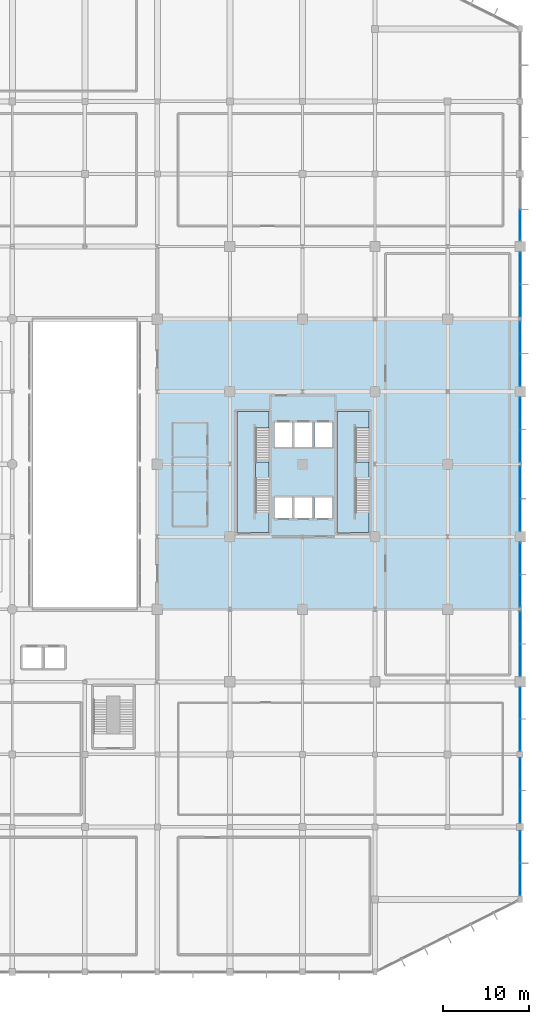
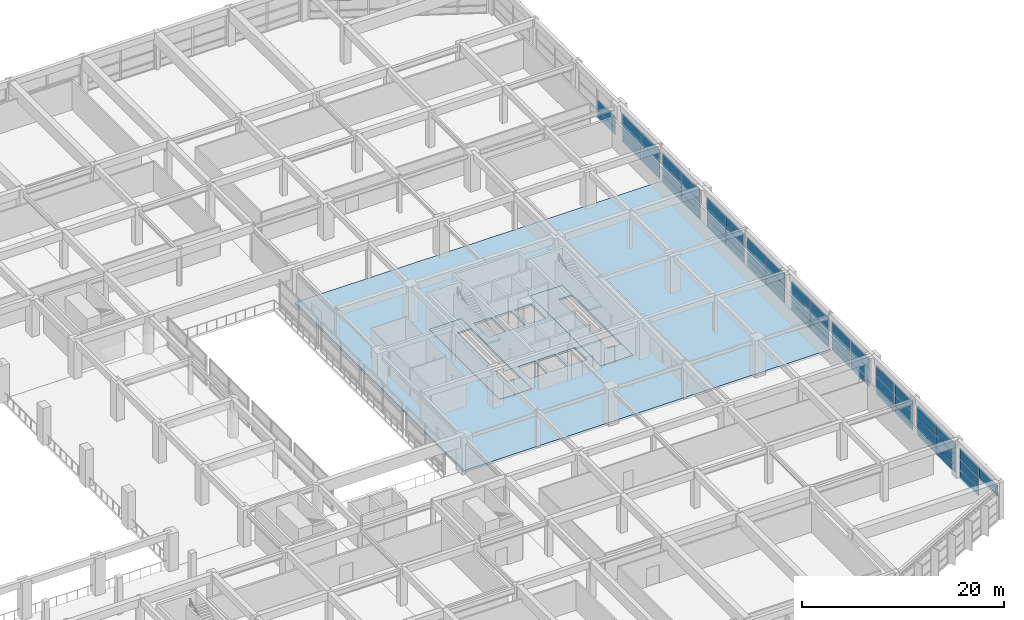
# One storey, part 48 of 65: 54 plates, 5 slabs, 12 elements without a shape of their own.
"""IFC4 building model written with IfcOpenShell, lengths in metres."""

import ifcopenshell
import ifcopenshell.guid

model = None  # the IFC model being written
_history = None  # IfcOwnerHistory: only IFC2X3 demands one
_inside = {}  # id of a spatial element -> (the spatial element, [elements in it])
_under = {}  # id of a project, library or spatial element -> (it, [spatial elements below it])
_declared = {}  # id of a project -> (the project, [libraries it declares])
_typed = {}  # id of a type object -> (the type object, [elements of that type])
_made_of = {}  # id of a material, layer set ... -> (it, [elements and type objects made of it])


def new_model(schema):
    """Start an empty IFC model of exactly this schema.

    Asked for "IFC4X3", IfcOpenShell would pick the latest addendum, in which some entities
    have other attributes; the version numbers below select the first issue.
    IFC2X3 requires an IfcOwnerHistory on every rooted entity: one is made here for all.
    """
    global model, _history
    if schema == "IFC4X3":
        model = ifcopenshell.file(schema_version=(4, 3, 0, 0))
    else:
        model = ifcopenshell.file(schema=schema)
    _inside.clear()
    _under.clear()
    _declared.clear()
    _typed.clear()
    _made_of.clear()
    _history = None
    if model.schema == "IFC2X3":
        org = make("IfcOrganization", Name="unknown")
        user = make(
            "IfcPersonAndOrganization",
            ThePerson=make("IfcPerson", FamilyName="unknown"),
            TheOrganization=org,
        )
        app = make(
            "IfcApplication",
            ApplicationDeveloper=org,
            Version="unknown",
            ApplicationFullName="unknown",
            ApplicationIdentifier="unknown",
        )
        _history = make(
            "IfcOwnerHistory",
            OwningUser=user,
            OwningApplication=app,
            ChangeAction="ADDED",
            CreationDate=0,
        )
    return model


def make(cls, **values):
    """One entity of the class cls with the attributes given. An attribute that is None is left unset."""
    return model.create_entity(
        cls, **{name: value for name, value in values.items() if value is not None}
    )


def rooted(cls, **values):
    """An entity with a GlobalId (a new one), such as an element, a storey or a relation."""
    return make(cls, GlobalId=ifcopenshell.guid.new(), OwnerHistory=_history, **values)


def si_unit(unit_type, name, prefix=None):
    """IfcSIUnit, for example si_unit("LENGTHUNIT", "METRE", prefix="MILLI")."""
    return make("IfcSIUnit", UnitType=unit_type, Prefix=prefix, Name=name)


def assignment(units):
    """IfcUnitAssignment: the units of a project."""
    return None if units is None else make("IfcUnitAssignment", Units=units)


def point(xyz):
    """IfcCartesianPoint."""
    return None if xyz is None else make("IfcCartesianPoint", Coordinates=xyz)


def direction(xyz):
    """IfcDirection."""
    return None if xyz is None else make("IfcDirection", DirectionRatios=xyz)


def frame(location, z_axis=None, x_axis=None):
    """IfcAxis2Placement3D, a coordinate frame: its origin and axes. An axis left out is left unset."""
    return make(
        "IfcAxis2Placement3D",
        Location=point(location),
        Axis=direction(z_axis),
        RefDirection=direction(x_axis),
    )


def frame_2d(location, x_axis=None):
    """IfcAxis2Placement2D, a coordinate frame in the plane: its origin and x axis."""
    return make(
        "IfcAxis2Placement2D", Location=point(location), RefDirection=direction(x_axis)
    )


def origin():
    """The frame at (0, 0, 0) with its axes left unset."""
    return frame((0.0, 0.0, 0.0))


def origin_2d():
    """The frame at (0, 0) in the plane with its x axis left unset."""
    return frame_2d((0.0, 0.0))


def place(relative_to, where):
    """IfcLocalPlacement: puts the frame where relative to a parent placement (None: the world)."""
    return make(
        "IfcLocalPlacement", PlacementRelTo=relative_to, RelativePlacement=where
    )


def context(
    kind, dimensions, precision=None, world=None, true_north=None, identifier=None
):
    """IfcGeometricRepresentationContext, for example the 3D "Model" context."""
    return make(
        "IfcGeometricRepresentationContext",
        ContextIdentifier=identifier,
        ContextType=kind,
        CoordinateSpaceDimension=dimensions,
        Precision=precision,
        WorldCoordinateSystem=world,
        TrueNorth=true_north,
    )


def subcontext(parent, identifier, kind, view, scale=None):
    """IfcGeometricRepresentationSubContext, for example "Body" below "Model"."""
    return make(
        "IfcGeometricRepresentationSubContext",
        ContextIdentifier=identifier,
        ContextType=kind,
        ParentContext=parent,
        TargetScale=scale,
        TargetView=view,
    )


def project(units=None, contexts=None):
    """IfcProject with its units and contexts."""
    return rooted(
        "IfcProject",
        Name="project",
        RepresentationContexts=contexts,
        UnitsInContext=assignment(units),
    )


def spatial(cls, under=None, at=None, **own):
    """A site, building, storey or space (cls), placed at a placement, below another one or the project."""
    s = rooted(cls, ObjectPlacement=at, **own)
    if under is not None:
        _under.setdefault(under.id(), (under, []))[1].append(s)
    return s


def polyline(points):
    """IfcPolyline through the points."""
    return make("IfcPolyline", Points=[point(p) for p in points])


def profile(cls, at=None, kind="AREA", **sizes):
    """A parametric profile (cls). Its sizes go by their IFC names, for example OverallWidth=200.0."""
    return make(cls, ProfileType=kind, Position=at, **sizes)


def rectangle(**sizes):
    """IfcRectangleProfileDef."""
    return profile("IfcRectangleProfileDef", **sizes)


def outline(outer, holes=None, kind="AREA"):
    """IfcArbitraryClosedProfileDef: a profile drawn as a closed curve; with holes, ...WithVoids."""
    if holes is None:
        return make("IfcArbitraryClosedProfileDef", ProfileType=kind, OuterCurve=outer)
    return make(
        "IfcArbitraryProfileDefWithVoids",
        ProfileType=kind,
        OuterCurve=outer,
        InnerCurves=holes,
    )


def extrude(swept, where, along, depth):
    """IfcExtrudedAreaSolid: the profile swept, set in the frame where, extruded along a direction by depth."""
    return make(
        "IfcExtrudedAreaSolid",
        SweptArea=swept,
        Position=where,
        ExtrudedDirection=direction(along),
        Depth=depth,
    )


def shape(context_of_items, identifier, shape_type, items):
    """IfcShapeRepresentation: the items that make up one representation, for example the "Body"."""
    return make(
        "IfcShapeRepresentation",
        ContextOfItems=context_of_items,
        RepresentationIdentifier=identifier,
        RepresentationType=shape_type,
        Items=items,
    )


def material(Name=None, Category=None):
    """IfcMaterial."""
    return make("IfcMaterial", Name=Name, Category=Category)


def layer(
    of_material, thickness, ventilated=None, Name=None, Category=None, Priority=None
):
    """IfcMaterialLayer: one layer of a wall or slab, of a material (None: an air gap)."""
    return make(
        "IfcMaterialLayer",
        Material=of_material,
        LayerThickness=thickness,
        IsVentilated=ventilated,
        Name=Name,
        Category=Category,
        Priority=Priority,
    )


def layer_set(layers, Name=None):
    """IfcMaterialLayerSet."""
    return make("IfcMaterialLayerSet", MaterialLayers=layers, LayerSetName=Name)


def made_of(thing, what):
    """Note that an element or type object is made of a material, layer set ...; save() writes the relation."""
    if what is not None:
        _made_of.setdefault(what.id(), (what, []))[1].append(thing)
    return thing


def type_object(cls, material=None, **own):
    """A type object (cls), such as IfcWallType, which elements share."""
    return made_of(rooted(cls, **own), material)


def element(
    cls,
    number,
    at=None,
    inside=None,
    cuts=None,
    type_object=None,
    material=None,
    context=None,
    identifier="Body",
    shape_type=None,
    held_by="IfcProductDefinitionShape",
    body=None,
    shapes=None,
    **own,
):
    """One element of the class cls, such as IfcWall. Its Tag is "e" and its number.

    at: its placement. inside: the storey or other place that contains it. cuts: it is an
    opening in that element (IfcRelVoidsElement). A single representation is given by context,
    identifier, shape_type and body (its items); several are given by shapes. held_by: the class
    of the entity that holds the representations. save() writes the other relations.
    """
    e = rooted(cls, Tag="e%d" % number, ObjectPlacement=at, **own)
    if body is not None:
        shapes = [shape(context, identifier, shape_type, body)]
    if shapes is not None:
        e.Representation = make(held_by, Representations=shapes)
    if inside is not None:
        _inside.setdefault(inside.id(), (inside, []))[1].append(e)
    if cuts is not None:
        rooted(
            "IfcRelVoidsElement", RelatingBuildingElement=cuts, RelatedOpeningElement=e
        )
    if type_object is not None:
        _typed.setdefault(type_object.id(), (type_object, []))[1].append(e)
    return made_of(e, material)


def aggregate(whole, parts):
    """IfcRelAggregates: a whole, such as a stair, and the parts it consists of."""
    return rooted("IfcRelAggregates", RelatingObject=whole, RelatedObjects=parts)


def save(model, path):
    """Write the relations noted so far, then the file.

    IfcRelAggregates (storeys below a building ...), IfcRelContainedInSpatialStructure (elements
    in a storey), IfcRelDefinesByType, IfcRelAssociatesMaterial and IfcRelDeclares: one each for
    every whole, place, type object, material and project.
    """
    for whole, parts in _under.values():
        aggregate(whole, parts)
    for where, things in _inside.values():
        rooted(
            "IfcRelContainedInSpatialStructure",
            RelatedElements=things,
            RelatingStructure=where,
        )
    for kind, things in _typed.values():
        rooted("IfcRelDefinesByType", RelatedObjects=things, RelatingType=kind)
    for what, things in _made_of.values():
        rooted("IfcRelAssociatesMaterial", RelatedObjects=things, RelatingMaterial=what)
    for by, libraries in _declared.values():
        rooted("IfcRelDeclares", RelatingContext=by, RelatedDefinitions=libraries)
    model.write(path)


model = new_model("IFC4")

# Units and contexts
model_context = context("Model", 3, precision=1e-05, world=origin(), true_north=direction((0.0, 1.0)))
body_context = subcontext(model_context, "Body", "Model", "MODEL_VIEW")
ifc_project = project(units=[si_unit("LENGTHUNIT", "METRE"), si_unit("AREAUNIT", "SQUARE_METRE"), si_unit("VOLUMEUNIT", "CUBIC_METRE"), si_unit("PLANEANGLEUNIT", "RADIAN"), si_unit("MASSUNIT", "GRAM", prefix="KILO")], contexts=[model_context])

# Site, building, storey
site_placement = place(None, origin())
site = spatial("IfcSite", under=ifc_project, at=site_placement, CompositionType="ELEMENT")
building_placement = place(site_placement, origin())
building = spatial("IfcBuilding", under=site, at=building_placement, Name="Xuanlan Plaza Opera House", CompositionType="ELEMENT")
storey_placement = place(building_placement, frame((0.0, 0.0, 5.39990234375)))
storey = spatial("IfcBuildingStorey", under=building, at=storey_placement, Name="L01", CompositionType="ELEMENT", Elevation=5.39990234375)

# Curtain wall, plates
ifc_material_1 = material(Name="Anodised Aluminium 6063-T6 and Low-E Glass", Category="aluminium")
curtain_wall_type_1 = type_object("IfcCurtainWallType", Name="ENV-CW-CW-04", PredefinedType="USERDEFINED", material=ifc_material_1)
curtain_wall_1_placement = place(storey_placement, origin())
curtain_wall_1 = element("IfcCurtainWall", 1, at=curtain_wall_1_placement, inside=storey, type_object=curtain_wall_type_1, Name="Unitised Curtain Wall L01-021", ObjectType="UNITISED CURTAIN WALL", PredefinedType="USERDEFINED")
ifc_material_2 = material(Name="Laminated Acoustic Double Glazing", Category="glass")
ifc_layer_1 = layer(ifc_material_2, 0.028076171875)
ifc_layer_set_1 = layer_set([ifc_layer_1], Name="Laminated Acoustic Double Glazing")
plate_type_1 = type_object("IfcPlateType", Name="ENV-CWP-01", PredefinedType="CURTAIN_PANEL", material=ifc_layer_set_1)
plate_1_placement = place(storey_placement, frame((168.0, 36.128173828125, 0.090087890625), z_axis=(0.0, 0.0, 1.0), x_axis=(0.0, 1.0, 0.0)))
plate_1 = element("IfcPlate", 2, at=plate_1_placement, type_object=plate_type_1, Name="CW-04 panel 1.1", PredefinedType="CURTAIN_PANEL", context=body_context, shape_type="SweptSolid", body=[
    extrude(rectangle(XDim=3.656494140625, YDim=0.028076171875, at=origin_2d()), origin(), (0.0, 0.0, 1.0), 0.81494140625),
])
plate_2_placement = place(storey_placement, frame((168.0, 36.128173828125, 0.9951171875), z_axis=(0.0, 0.0, 1.0), x_axis=(0.0, 1.0, 0.0)))
plate_2 = element("IfcPlate", 3, at=plate_2_placement, type_object=plate_type_1, Name="CW-04 panel 1.2", PredefinedType="CURTAIN_PANEL", context=body_context, shape_type="SweptSolid", body=[
    extrude(rectangle(XDim=3.656494140625, YDim=0.028076171875, at=origin_2d()), origin(), (0.0, 0.0, 1.0), 1.2099609375),
])
plate_3_placement = place(storey_placement, frame((168.0, 36.128173828125, 2.295166015625), z_axis=(0.0, 0.0, 1.0), x_axis=(0.0, 1.0, 0.0)))
plate_3 = element("IfcPlate", 4, at=plate_3_placement, type_object=plate_type_1, Name="CW-04 panel 1.3", PredefinedType="CURTAIN_PANEL", context=body_context, shape_type="SweptSolid", body=[
    extrude(rectangle(XDim=3.656494140625, YDim=0.028076171875, at=origin_2d()), origin(), (0.0, 0.0, 1.0), 1.294921875),
])
plate_4_placement = place(storey_placement, frame((168.0, 39.86474609375, 0.090087890625), z_axis=(0.0, 0.0, 1.0), x_axis=(0.0, 1.0, 0.0)))
plate_4 = element("IfcPlate", 5, at=plate_4_placement, type_object=plate_type_1, Name="CW-04 panel 2.1", PredefinedType="CURTAIN_PANEL", context=body_context, shape_type="SweptSolid", body=[
    extrude(rectangle(XDim=3.656494140625, YDim=0.028076171875, at=origin_2d()), origin(), (0.0, 0.0, 1.0), 0.81494140625),
])
plate_5_placement = place(storey_placement, frame((168.0, 39.86474609375, 0.9951171875), z_axis=(0.0, 0.0, 1.0), x_axis=(0.0, 1.0, 0.0)))
plate_5 = element("IfcPlate", 6, at=plate_5_placement, type_object=plate_type_1, Name="CW-04 panel 2.2", PredefinedType="CURTAIN_PANEL", context=body_context, shape_type="SweptSolid", body=[
    extrude(rectangle(XDim=3.656494140625, YDim=0.028076171875, at=origin_2d()), origin(), (0.0, 0.0, 1.0), 1.2099609375),
])
plate_6_placement = place(storey_placement, frame((168.0, 39.86474609375, 2.295166015625), z_axis=(0.0, 0.0, 1.0), x_axis=(0.0, 1.0, 0.0)))
plate_6 = element("IfcPlate", 7, at=plate_6_placement, type_object=plate_type_1, Name="CW-04 panel 2.3", PredefinedType="CURTAIN_PANEL", context=body_context, shape_type="SweptSolid", body=[
    extrude(rectangle(XDim=3.656494140625, YDim=0.028076171875, at=origin_2d()), origin(), (0.0, 0.0, 1.0), 1.294921875),
])
aggregate(curtain_wall_1, [plate_1, plate_2, plate_3, plate_4, plate_5, plate_6])

curtain_wall_type_2 = type_object("IfcCurtainWallType", Name="ENV-CW-CW-01", PredefinedType="USERDEFINED", material=ifc_material_1)
curtain_wall_2_placement = place(storey_placement, origin())
curtain_wall_2 = element("IfcCurtainWall", 8, at=curtain_wall_2_placement, inside=storey, type_object=curtain_wall_type_2, Name="Unitised Curtain Wall L01-026", ObjectType="UNITISED CURTAIN WALL", PredefinedType="USERDEFINED")
plate_7_placement = place(storey_placement, frame((168.0, 77.7353515625, 0.090087890625), z_axis=(0.0, 0.0, 1.0), x_axis=(0.0, 1.0, 0.0)))
plate_7 = element("IfcPlate", 9, at=plate_7_placement, type_object=plate_type_1, Name="CW-01 panel 1.1", PredefinedType="CURTAIN_PANEL", context=body_context, shape_type="SweptSolid", body=[
    extrude(rectangle(XDim=3.656494140625, YDim=0.028076171875, at=origin_2d()), origin(), (0.0, 0.0, 1.0), 0.81494140625),
])
plate_8_placement = place(storey_placement, frame((168.0, 77.7353515625, 0.9951171875), z_axis=(0.0, 0.0, 1.0), x_axis=(0.0, 1.0, 0.0)))
plate_8 = element("IfcPlate", 10, at=plate_8_placement, type_object=plate_type_1, Name="CW-01 panel 1.2", PredefinedType="CURTAIN_PANEL", context=body_context, shape_type="SweptSolid", body=[
    extrude(rectangle(XDim=3.656494140625, YDim=0.028076171875, at=origin_2d()), origin(), (0.0, 0.0, 1.0), 1.2099609375),
])
plate_9_placement = place(storey_placement, frame((168.0, 77.7353515625, 2.295166015625), z_axis=(0.0, 0.0, 1.0), x_axis=(0.0, 1.0, 0.0)))
plate_9 = element("IfcPlate", 11, at=plate_9_placement, type_object=plate_type_1, Name="CW-01 panel 1.3", PredefinedType="CURTAIN_PANEL", context=body_context, shape_type="SweptSolid", body=[
    extrude(rectangle(XDim=3.656494140625, YDim=0.028076171875, at=origin_2d()), origin(), (0.0, 0.0, 1.0), 1.294921875),
])
plate_10_placement = place(storey_placement, frame((168.0, 81.4716796875, 0.090087890625), z_axis=(0.0, 0.0, 1.0), x_axis=(0.0, 1.0, 0.0)))
plate_10 = element("IfcPlate", 12, at=plate_10_placement, type_object=plate_type_1, Name="CW-01 panel 2.1", PredefinedType="CURTAIN_PANEL", context=body_context, shape_type="SweptSolid", body=[
    extrude(rectangle(XDim=3.656494140625, YDim=0.028076171875, at=origin_2d()), origin(), (0.0, 0.0, 1.0), 0.81494140625),
])
plate_11_placement = place(storey_placement, frame((168.0, 81.4716796875, 0.9951171875), z_axis=(0.0, 0.0, 1.0), x_axis=(0.0, 1.0, 0.0)))
plate_11 = element("IfcPlate", 13, at=plate_11_placement, type_object=plate_type_1, Name="CW-01 panel 2.2", PredefinedType="CURTAIN_PANEL", context=body_context, shape_type="SweptSolid", body=[
    extrude(rectangle(XDim=3.656494140625, YDim=0.028076171875, at=origin_2d()), origin(), (0.0, 0.0, 1.0), 1.2099609375),
])
plate_12_placement = place(storey_placement, frame((168.0, 81.4716796875, 2.295166015625), z_axis=(0.0, 0.0, 1.0), x_axis=(0.0, 1.0, 0.0)))
plate_12 = element("IfcPlate", 14, at=plate_12_placement, type_object=plate_type_1, Name="CW-01 panel 2.3", PredefinedType="CURTAIN_PANEL", context=body_context, shape_type="SweptSolid", body=[
    extrude(rectangle(XDim=3.656494140625, YDim=0.028076171875, at=origin_2d()), origin(), (0.0, 0.0, 1.0), 1.294921875),
])
aggregate(curtain_wall_2, [plate_7, plate_8, plate_9, plate_10, plate_11, plate_12])

curtain_wall_3_placement = place(storey_placement, origin())
curtain_wall_3 = element("IfcCurtainWall", 15, at=curtain_wall_3_placement, inside=storey, type_object=curtain_wall_type_2, Name="Unitised Curtain Wall L01-018", ObjectType="UNITISED CURTAIN WALL", PredefinedType="USERDEFINED")
ifc_layer_2 = layer(ifc_material_2, 0.031982421875)
ifc_layer_set_2 = layer_set([ifc_layer_2], Name="Laminated Acoustic Double Glazing")
plate_type_2 = type_object("IfcPlateType", Name="ENV-CWP-02", PredefinedType="CURTAIN_PANEL", material=ifc_layer_set_2)
plate_13_placement = place(storey_placement, frame((168.0, 10.70751953125, 2.2900390625), z_axis=(0.0, 0.0, 1.0), x_axis=(0.0, 1.0, 0.0)))
plate_13 = element("IfcPlate", 16, at=plate_13_placement, type_object=plate_type_2, Name="CW-01 panel 1.3", PredefinedType="CURTAIN_PANEL", context=body_context, shape_type="SweptSolid", body=[
    extrude(rectangle(XDim=3.695068359375, YDim=0.031982421875, at=origin_2d()), origin(), (0.0, 0.0, 1.0), 1.31005859375),
])
plate_14_placement = place(storey_placement, frame((168.0, 14.467529296875, 0.080078125), z_axis=(0.0, 0.0, 1.0), x_axis=(0.0, 1.0, 0.0)))
plate_14 = element("IfcPlate", 17, at=plate_14_placement, type_object=plate_type_2, Name="CW-01 panel 2.1", PredefinedType="CURTAIN_PANEL", context=body_context, shape_type="SweptSolid", body=[
    extrude(rectangle(XDim=3.695068359375, YDim=0.031982421875, at=origin_2d()), origin(), (0.0, 0.0, 1.0), 0.830078125),
])
plate_15_placement = place(storey_placement, frame((168.0, 14.467529296875, 0.990234375), z_axis=(0.0, 0.0, 1.0), x_axis=(0.0, 1.0, 0.0)))
plate_15 = element("IfcPlate", 18, at=plate_15_placement, type_object=plate_type_2, Name="CW-01 panel 2.2", PredefinedType="CURTAIN_PANEL", context=body_context, shape_type="SweptSolid", body=[
    extrude(rectangle(XDim=3.695068359375, YDim=0.031982421875, at=origin_2d()), origin(), (0.0, 0.0, 1.0), 1.219970703125),
])
plate_16_placement = place(storey_placement, frame((168.0, 14.467529296875, 2.2900390625), z_axis=(0.0, 0.0, 1.0), x_axis=(0.0, 1.0, 0.0)))
plate_16 = element("IfcPlate", 19, at=plate_16_placement, type_object=plate_type_2, Name="CW-01 panel 2.3", PredefinedType="CURTAIN_PANEL", context=body_context, shape_type="SweptSolid", body=[
    extrude(rectangle(XDim=3.695068359375, YDim=0.031982421875, at=origin_2d()), origin(), (0.0, 0.0, 1.0), 1.31005859375),
])
aggregate(curtain_wall_3, [plate_13, plate_14, plate_15, plate_16])

curtain_wall_type_3 = type_object("IfcCurtainWallType", Name="ENV-CW-CW-02", PredefinedType="USERDEFINED", material=ifc_material_1)
curtain_wall_4_placement = place(storey_placement, origin())
curtain_wall_4 = element("IfcCurtainWall", 20, at=curtain_wall_4_placement, inside=storey, type_object=curtain_wall_type_3, Name="Unitised Curtain Wall L01-023", ObjectType="UNITISED CURTAIN WALL", PredefinedType="USERDEFINED")
plate_17_placement = place(storey_placement, frame((168.0, 52.924560546875, 0.080078125), z_axis=(0.0, 0.0, 1.0), x_axis=(0.0, 1.0, 0.0)))
plate_17 = element("IfcPlate", 21, at=plate_17_placement, type_object=plate_type_2, Name="CW-02 panel 1.1", PredefinedType="CURTAIN_PANEL", context=body_context, shape_type="SweptSolid", body=[
    extrude(rectangle(XDim=3.678955078125, YDim=0.031982421875, at=origin_2d()), origin(), (0.0, 0.0, 1.0), 0.830078125),
])
plate_18_placement = place(storey_placement, frame((168.0, 52.924560546875, 0.990234375), z_axis=(0.0, 0.0, 1.0), x_axis=(0.0, 1.0, 0.0)))
plate_18 = element("IfcPlate", 22, at=plate_18_placement, type_object=plate_type_2, Name="CW-02 panel 1.2", PredefinedType="CURTAIN_PANEL", context=body_context, shape_type="SweptSolid", body=[
    extrude(rectangle(XDim=3.678955078125, YDim=0.031982421875, at=origin_2d()), origin(), (0.0, 0.0, 1.0), 1.219970703125),
])
plate_19_placement = place(storey_placement, frame((168.0, 52.924560546875, 2.2900390625), z_axis=(0.0, 0.0, 1.0), x_axis=(0.0, 1.0, 0.0)))
plate_19 = element("IfcPlate", 23, at=plate_19_placement, type_object=plate_type_2, Name="CW-02 panel 1.3", PredefinedType="CURTAIN_PANEL", context=body_context, shape_type="SweptSolid", body=[
    extrude(rectangle(XDim=3.678955078125, YDim=0.031982421875, at=origin_2d()), origin(), (0.0, 0.0, 1.0), 1.31005859375),
])
plate_20_placement = place(storey_placement, frame((168.0, 56.66845703125, 0.080078125), z_axis=(0.0, 0.0, 1.0), x_axis=(0.0, 1.0, 0.0)))
plate_20 = element("IfcPlate", 24, at=plate_20_placement, type_object=plate_type_2, Name="CW-02 panel 2.1", PredefinedType="CURTAIN_PANEL", context=body_context, shape_type="SweptSolid", body=[
    extrude(rectangle(XDim=3.678955078125, YDim=0.031982421875, at=origin_2d()), origin(), (0.0, 0.0, 1.0), 0.830078125),
])
plate_21_placement = place(storey_placement, frame((168.0, 56.66845703125, 0.990234375), z_axis=(0.0, 0.0, 1.0), x_axis=(0.0, 1.0, 0.0)))
plate_21 = element("IfcPlate", 25, at=plate_21_placement, type_object=plate_type_2, Name="CW-02 panel 2.2", PredefinedType="CURTAIN_PANEL", context=body_context, shape_type="SweptSolid", body=[
    extrude(rectangle(XDim=3.678955078125, YDim=0.031982421875, at=origin_2d()), origin(), (0.0, 0.0, 1.0), 1.219970703125),
])
plate_22_placement = place(storey_placement, frame((168.0, 56.66845703125, 2.2900390625), z_axis=(0.0, 0.0, 1.0), x_axis=(0.0, 1.0, 0.0)))
plate_22 = element("IfcPlate", 26, at=plate_22_placement, type_object=plate_type_2, Name="CW-02 panel 2.3", PredefinedType="CURTAIN_PANEL", context=body_context, shape_type="SweptSolid", body=[
    extrude(rectangle(XDim=3.678955078125, YDim=0.031982421875, at=origin_2d()), origin(), (0.0, 0.0, 1.0), 1.31005859375),
])
aggregate(curtain_wall_4, [plate_17, plate_18, plate_19, plate_20, plate_21, plate_22])

curtain_wall_type_4 = type_object("IfcCurtainWallType", Name="ENV-CW-CW-03", PredefinedType="USERDEFINED", material=ifc_material_1)
curtain_wall_5_placement = place(storey_placement, origin())
curtain_wall_5 = element("IfcCurtainWall", 27, at=curtain_wall_5_placement, inside=storey, type_object=curtain_wall_type_4, Name="Unitised Curtain Wall L01-020", ObjectType="UNITISED CURTAIN WALL", PredefinedType="USERDEFINED")
ifc_layer_3 = layer(ifc_material_2, 0.035888671875)
ifc_layer_set_3 = layer_set([ifc_layer_3], Name="Laminated Acoustic Double Glazing")
plate_type_3 = type_object("IfcPlateType", Name="ENV-CWP-03", PredefinedType="CURTAIN_PANEL", material=ifc_layer_set_3)
plate_23_placement = place(storey_placement, frame((168.0, 27.441162109375, 0.0751953125), z_axis=(0.0, 0.0, 1.0), x_axis=(0.0, 1.0, 0.0)))
plate_23 = element("IfcPlate", 28, at=plate_23_placement, type_object=plate_type_3, Name="CW-03 panel 1.1", PredefinedType="CURTAIN_PANEL", context=body_context, shape_type="SweptSolid", body=[
    extrude(rectangle(XDim=3.592529296875, YDim=0.035888671875, at=origin_2d()), origin(), (0.0, 0.0, 1.0), 0.83740234375),
])
plate_24_placement = place(storey_placement, frame((168.0, 27.441162109375, 0.987548828125), z_axis=(0.0, 0.0, 1.0), x_axis=(0.0, 1.0, 0.0)))
plate_24 = element("IfcPlate", 29, at=plate_24_placement, type_object=plate_type_3, Name="CW-03 panel 1.2", PredefinedType="CURTAIN_PANEL", context=body_context, shape_type="SweptSolid", body=[
    extrude(rectangle(XDim=3.592529296875, YDim=0.035888671875, at=origin_2d()), origin(), (0.0, 0.0, 1.0), 1.22509765625),
])
plate_25_placement = place(storey_placement, frame((168.0, 27.441162109375, 2.28759765625), z_axis=(0.0, 0.0, 1.0), x_axis=(0.0, 1.0, 0.0)))
plate_25 = element("IfcPlate", 30, at=plate_25_placement, type_object=plate_type_3, Name="CW-03 panel 1.3", PredefinedType="CURTAIN_PANEL", context=body_context, shape_type="SweptSolid", body=[
    extrude(rectangle(XDim=3.592529296875, YDim=0.035888671875, at=origin_2d()), origin(), (0.0, 0.0, 1.0), 1.3173828125),
])
plate_26_placement = place(storey_placement, frame((168.0, 31.108642578125, 0.0751953125), z_axis=(0.0, 0.0, 1.0), x_axis=(0.0, 1.0, 0.0)))
plate_26 = element("IfcPlate", 31, at=plate_26_placement, type_object=plate_type_3, Name="CW-03 panel 2.1", PredefinedType="CURTAIN_PANEL", context=body_context, shape_type="SweptSolid", body=[
    extrude(rectangle(XDim=3.592529296875, YDim=0.035888671875, at=origin_2d()), origin(), (0.0, 0.0, 1.0), 0.83740234375),
])
plate_27_placement = place(storey_placement, frame((168.0, 31.108642578125, 0.987548828125), z_axis=(0.0, 0.0, 1.0), x_axis=(0.0, 1.0, 0.0)))
plate_27 = element("IfcPlate", 32, at=plate_27_placement, type_object=plate_type_3, Name="CW-03 panel 2.2", PredefinedType="CURTAIN_PANEL", context=body_context, shape_type="SweptSolid", body=[
    extrude(rectangle(XDim=3.592529296875, YDim=0.035888671875, at=origin_2d()), origin(), (0.0, 0.0, 1.0), 1.22509765625),
])
plate_28_placement = place(storey_placement, frame((168.0, 31.108642578125, 2.28759765625), z_axis=(0.0, 0.0, 1.0), x_axis=(0.0, 1.0, 0.0)))
plate_28 = element("IfcPlate", 33, at=plate_28_placement, type_object=plate_type_3, Name="CW-03 panel 2.3", PredefinedType="CURTAIN_PANEL", context=body_context, shape_type="SweptSolid", body=[
    extrude(rectangle(XDim=3.592529296875, YDim=0.035888671875, at=origin_2d()), origin(), (0.0, 0.0, 1.0), 1.3173828125),
])
aggregate(curtain_wall_5, [plate_23, plate_24, plate_25, plate_26, plate_27, plate_28])

curtain_wall_6_placement = place(storey_placement, origin())
curtain_wall_6 = element("IfcCurtainWall", 34, at=curtain_wall_6_placement, inside=storey, type_object=curtain_wall_type_1, Name="Unitised Curtain Wall L01-025", ObjectType="UNITISED CURTAIN WALL", PredefinedType="USERDEFINED")
plate_29_placement = place(storey_placement, frame((168.0, 69.72705078125, 0.0751953125), z_axis=(0.0, 0.0, 1.0), x_axis=(0.0, 1.0, 0.0)))
plate_29 = element("IfcPlate", 35, at=plate_29_placement, type_object=plate_type_3, Name="CW-04 panel 1.1", PredefinedType="CURTAIN_PANEL", context=body_context, shape_type="SweptSolid", body=[
    extrude(rectangle(XDim=3.6640625, YDim=0.035888671875, at=origin_2d()), origin(), (0.0, 0.0, 1.0), 0.83740234375),
])
plate_30_placement = place(storey_placement, frame((168.0, 69.72705078125, 0.987548828125), z_axis=(0.0, 0.0, 1.0), x_axis=(0.0, 1.0, 0.0)))
plate_30 = element("IfcPlate", 36, at=plate_30_placement, type_object=plate_type_3, Name="CW-04 panel 1.2", PredefinedType="CURTAIN_PANEL", context=body_context, shape_type="SweptSolid", body=[
    extrude(rectangle(XDim=3.6640625, YDim=0.035888671875, at=origin_2d()), origin(), (0.0, 0.0, 1.0), 1.22509765625),
])
plate_31_placement = place(storey_placement, frame((168.0, 69.72705078125, 2.28759765625), z_axis=(0.0, 0.0, 1.0), x_axis=(0.0, 1.0, 0.0)))
plate_31 = element("IfcPlate", 37, at=plate_31_placement, type_object=plate_type_3, Name="CW-04 panel 1.3", PredefinedType="CURTAIN_PANEL", context=body_context, shape_type="SweptSolid", body=[
    extrude(rectangle(XDim=3.6640625, YDim=0.035888671875, at=origin_2d()), origin(), (0.0, 0.0, 1.0), 1.3173828125),
])
plate_32_placement = place(storey_placement, frame((168.0, 73.466064453125, 0.0751953125), z_axis=(0.0, 0.0, 1.0), x_axis=(0.0, 1.0, 0.0)))
plate_32 = element("IfcPlate", 38, at=plate_32_placement, type_object=plate_type_3, Name="CW-04 panel 2.1", PredefinedType="CURTAIN_PANEL", context=body_context, shape_type="SweptSolid", body=[
    extrude(rectangle(XDim=3.6640625, YDim=0.035888671875, at=origin_2d()), origin(), (0.0, 0.0, 1.0), 0.83740234375),
])
plate_33_placement = place(storey_placement, frame((168.0, 73.466064453125, 0.987548828125), z_axis=(0.0, 0.0, 1.0), x_axis=(0.0, 1.0, 0.0)))
plate_33 = element("IfcPlate", 39, at=plate_33_placement, type_object=plate_type_3, Name="CW-04 panel 2.2", PredefinedType="CURTAIN_PANEL", context=body_context, shape_type="SweptSolid", body=[
    extrude(rectangle(XDim=3.6640625, YDim=0.035888671875, at=origin_2d()), origin(), (0.0, 0.0, 1.0), 1.22509765625),
])
plate_34_placement = place(storey_placement, frame((168.0, 73.466064453125, 2.28759765625), z_axis=(0.0, 0.0, 1.0), x_axis=(0.0, 1.0, 0.0)))
plate_34 = element("IfcPlate", 40, at=plate_34_placement, type_object=plate_type_3, Name="CW-04 panel 2.3", PredefinedType="CURTAIN_PANEL", context=body_context, shape_type="SweptSolid", body=[
    extrude(rectangle(XDim=3.6640625, YDim=0.035888671875, at=origin_2d()), origin(), (0.0, 0.0, 1.0), 1.3173828125),
])
aggregate(curtain_wall_6, [plate_29, plate_30, plate_31, plate_32, plate_33, plate_34])

curtain_wall_7_placement = place(storey_placement, origin())
curtain_wall_7 = element("IfcCurtainWall", 41, at=curtain_wall_7_placement, inside=storey, type_object=curtain_wall_type_2, Name="Unitised Curtain Wall L01-022", ObjectType="UNITISED CURTAIN WALL", PredefinedType="USERDEFINED")
ifc_layer_4 = layer(ifc_material_2, 0.0400390625)
ifc_layer_set_4 = layer_set([ifc_layer_4], Name="Laminated Acoustic Double Glazing")
plate_type_4 = type_object("IfcPlateType", Name="ENV-CWP-04", PredefinedType="CURTAIN_PANEL", material=ifc_layer_set_4)
plate_35_placement = place(storey_placement, frame((168.0, 44.1376953125, 0.0703125), z_axis=(0.0, 0.0, 1.0), x_axis=(0.0, 1.0, 0.0)))
plate_35 = element("IfcPlate", 42, at=plate_35_placement, type_object=plate_type_4, Name="CW-01 panel 1.1", PredefinedType="CURTAIN_PANEL", context=body_context, shape_type="SweptSolid", body=[
    extrude(rectangle(XDim=3.6416015625, YDim=0.0400390625, at=origin_2d()), origin(), (0.0, 0.0, 1.0), 0.844970703125),
])
plate_36_placement = place(storey_placement, frame((168.0, 44.1376953125, 0.985107421875), z_axis=(0.0, 0.0, 1.0), x_axis=(0.0, 1.0, 0.0)))
plate_36 = element("IfcPlate", 43, at=plate_36_placement, type_object=plate_type_4, Name="CW-01 panel 1.2", PredefinedType="CURTAIN_PANEL", context=body_context, shape_type="SweptSolid", body=[
    extrude(rectangle(XDim=3.6416015625, YDim=0.0400390625, at=origin_2d()), origin(), (0.0, 0.0, 1.0), 1.22998046875),
])
plate_37_placement = place(storey_placement, frame((168.0, 44.1376953125, 2.28515625), z_axis=(0.0, 0.0, 1.0), x_axis=(0.0, 1.0, 0.0)))
plate_37 = element("IfcPlate", 44, at=plate_37_placement, type_object=plate_type_4, Name="CW-01 panel 1.3", PredefinedType="CURTAIN_PANEL", context=body_context, shape_type="SweptSolid", body=[
    extrude(rectangle(XDim=3.6416015625, YDim=0.0400390625, at=origin_2d()), origin(), (0.0, 0.0, 1.0), 1.324951171875),
])
plate_38_placement = place(storey_placement, frame((168.0, 47.869140625, 0.0703125), z_axis=(0.0, 0.0, 1.0), x_axis=(0.0, 1.0, 0.0)))
plate_38 = element("IfcPlate", 45, at=plate_38_placement, type_object=plate_type_4, Name="CW-01 panel 2.1", PredefinedType="CURTAIN_PANEL", context=body_context, shape_type="SweptSolid", body=[
    extrude(rectangle(XDim=3.6416015625, YDim=0.0400390625, at=origin_2d()), origin(), (0.0, 0.0, 1.0), 0.844970703125),
])
plate_39_placement = place(storey_placement, frame((168.0, 47.869140625, 0.985107421875), z_axis=(0.0, 0.0, 1.0), x_axis=(0.0, 1.0, 0.0)))
plate_39 = element("IfcPlate", 46, at=plate_39_placement, type_object=plate_type_4, Name="CW-01 panel 2.2", PredefinedType="CURTAIN_PANEL", context=body_context, shape_type="SweptSolid", body=[
    extrude(rectangle(XDim=3.6416015625, YDim=0.0400390625, at=origin_2d()), origin(), (0.0, 0.0, 1.0), 1.22998046875),
])
plate_40_placement = place(storey_placement, frame((168.0, 47.869140625, 2.28515625), z_axis=(0.0, 0.0, 1.0), x_axis=(0.0, 1.0, 0.0)))
plate_40 = element("IfcPlate", 47, at=plate_40_placement, type_object=plate_type_4, Name="CW-01 panel 2.3", PredefinedType="CURTAIN_PANEL", context=body_context, shape_type="SweptSolid", body=[
    extrude(rectangle(XDim=3.6416015625, YDim=0.0400390625, at=origin_2d()), origin(), (0.0, 0.0, 1.0), 1.324951171875),
])
aggregate(curtain_wall_7, [plate_35, plate_36, plate_37, plate_38, plate_39, plate_40])

curtain_wall_8_placement = place(storey_placement, origin())
curtain_wall_8 = element("IfcCurtainWall", 48, at=curtain_wall_8_placement, inside=storey, type_object=curtain_wall_type_3, Name="Unitised Curtain Wall L01-027", ObjectType="UNITISED CURTAIN WALL", PredefinedType="USERDEFINED")
plate_41_placement = place(storey_placement, frame((168.0, 86.482421875, 0.0703125), z_axis=(0.0, 0.0, 1.0), x_axis=(0.0, 1.0, 0.0)))
plate_41 = element("IfcPlate", 49, at=plate_41_placement, type_object=plate_type_4, Name="CW-02 panel 1.1", PredefinedType="CURTAIN_PANEL", context=body_context, shape_type="SweptSolid", body=[
    extrude(rectangle(XDim=3.544921875, YDim=0.0400390625, at=origin_2d()), origin(), (0.0, 0.0, 1.0), 0.844970703125),
])
plate_42_placement = place(storey_placement, frame((168.0, 86.482421875, 0.985107421875), z_axis=(0.0, 0.0, 1.0), x_axis=(0.0, 1.0, 0.0)))
plate_42 = element("IfcPlate", 50, at=plate_42_placement, type_object=plate_type_4, Name="CW-02 panel 1.2", PredefinedType="CURTAIN_PANEL", context=body_context, shape_type="SweptSolid", body=[
    extrude(rectangle(XDim=3.544921875, YDim=0.0400390625, at=origin_2d()), origin(), (0.0, 0.0, 1.0), 1.22998046875),
])
aggregate(curtain_wall_8, [plate_41, plate_42])

curtain_wall_9_placement = place(storey_placement, origin())
curtain_wall_9 = element("IfcCurtainWall", 51, at=curtain_wall_9_placement, inside=storey, type_object=curtain_wall_type_3, Name="Unitised Curtain Wall L01-019", ObjectType="UNITISED CURTAIN WALL", PredefinedType="USERDEFINED")
ifc_layer_5 = layer(ifc_material_2, 0.0439453125)
ifc_layer_set_5 = layer_set([ifc_layer_5], Name="Laminated Acoustic Double Glazing")
plate_type_5 = type_object("IfcPlateType", Name="ENV-CWP-05", PredefinedType="CURTAIN_PANEL", material=ifc_layer_set_5)
plate_43_placement = place(storey_placement, frame((168.0, 19.139892578125, 0.065185546875), z_axis=(0.0, 0.0, 1.0), x_axis=(0.0, 1.0, 0.0)))
plate_43 = element("IfcPlate", 52, at=plate_43_placement, type_object=plate_type_5, Name="CW-02 panel 1.1", PredefinedType="CURTAIN_PANEL", context=body_context, shape_type="SweptSolid", body=[
    extrude(rectangle(XDim=3.699951171875, YDim=0.0439453125, at=origin_2d()), origin(), (0.0, 0.0, 1.0), 0.8525390625),
])
plate_44_placement = place(storey_placement, frame((168.0, 19.139892578125, 0.982421875), z_axis=(0.0, 0.0, 1.0), x_axis=(0.0, 1.0, 0.0)))
plate_44 = element("IfcPlate", 53, at=plate_44_placement, type_object=plate_type_5, Name="CW-02 panel 1.2", PredefinedType="CURTAIN_PANEL", context=body_context, shape_type="SweptSolid", body=[
    extrude(rectangle(XDim=3.699951171875, YDim=0.0439453125, at=origin_2d()), origin(), (0.0, 0.0, 1.0), 1.235107421875),
])
plate_45_placement = place(storey_placement, frame((168.0, 19.139892578125, 2.282470703125), z_axis=(0.0, 0.0, 1.0), x_axis=(0.0, 1.0, 0.0)))
plate_45 = element("IfcPlate", 54, at=plate_45_placement, type_object=plate_type_5, Name="CW-02 panel 1.3", PredefinedType="CURTAIN_PANEL", context=body_context, shape_type="SweptSolid", body=[
    extrude(rectangle(XDim=3.699951171875, YDim=0.0439453125, at=origin_2d()), origin(), (0.0, 0.0, 1.0), 1.33251953125),
])
plate_46_placement = place(storey_placement, frame((168.0, 22.909912109375, 0.065185546875), z_axis=(0.0, 0.0, 1.0), x_axis=(0.0, 1.0, 0.0)))
plate_46 = element("IfcPlate", 55, at=plate_46_placement, type_object=plate_type_5, Name="CW-02 panel 2.1", PredefinedType="CURTAIN_PANEL", context=body_context, shape_type="SweptSolid", body=[
    extrude(rectangle(XDim=3.699951171875, YDim=0.0439453125, at=origin_2d()), origin(), (0.0, 0.0, 1.0), 0.8525390625),
])
plate_47_placement = place(storey_placement, frame((168.0, 22.909912109375, 0.982421875), z_axis=(0.0, 0.0, 1.0), x_axis=(0.0, 1.0, 0.0)))
plate_47 = element("IfcPlate", 56, at=plate_47_placement, type_object=plate_type_5, Name="CW-02 panel 2.2", PredefinedType="CURTAIN_PANEL", context=body_context, shape_type="SweptSolid", body=[
    extrude(rectangle(XDim=3.699951171875, YDim=0.0439453125, at=origin_2d()), origin(), (0.0, 0.0, 1.0), 1.235107421875),
])
plate_48_placement = place(storey_placement, frame((168.0, 22.909912109375, 2.282470703125), z_axis=(0.0, 0.0, 1.0), x_axis=(0.0, 1.0, 0.0)))
plate_48 = element("IfcPlate", 57, at=plate_48_placement, type_object=plate_type_5, Name="CW-02 panel 2.3", PredefinedType="CURTAIN_PANEL", context=body_context, shape_type="SweptSolid", body=[
    extrude(rectangle(XDim=3.699951171875, YDim=0.0439453125, at=origin_2d()), origin(), (0.0, 0.0, 1.0), 1.33251953125),
])
aggregate(curtain_wall_9, [plate_43, plate_44, plate_45, plate_46, plate_47, plate_48])

curtain_wall_10_placement = place(storey_placement, origin())
curtain_wall_10 = element("IfcCurtainWall", 58, at=curtain_wall_10_placement, inside=storey, type_object=curtain_wall_type_4, Name="Unitised Curtain Wall L01-024", ObjectType="UNITISED CURTAIN WALL", PredefinedType="USERDEFINED")
plate_49_placement = place(storey_placement, frame((168.0, 60.932861328125, 0.065185546875), z_axis=(0.0, 0.0, 1.0), x_axis=(0.0, 1.0, 0.0)))
plate_49 = element("IfcPlate", 59, at=plate_49_placement, type_object=plate_type_5, Name="CW-03 panel 1.1", PredefinedType="CURTAIN_PANEL", context=body_context, shape_type="SweptSolid", body=[
    extrude(rectangle(XDim=3.67138671875, YDim=0.0439453125, at=origin_2d()), origin(), (0.0, 0.0, 1.0), 0.8525390625),
])
plate_50_placement = place(storey_placement, frame((168.0, 60.932861328125, 0.982421875), z_axis=(0.0, 0.0, 1.0), x_axis=(0.0, 1.0, 0.0)))
plate_50 = element("IfcPlate", 60, at=plate_50_placement, type_object=plate_type_5, Name="CW-03 panel 1.2", PredefinedType="CURTAIN_PANEL", context=body_context, shape_type="SweptSolid", body=[
    extrude(rectangle(XDim=3.67138671875, YDim=0.0439453125, at=origin_2d()), origin(), (0.0, 0.0, 1.0), 1.235107421875),
])
plate_51_placement = place(storey_placement, frame((168.0, 60.932861328125, 2.282470703125), z_axis=(0.0, 0.0, 1.0), x_axis=(0.0, 1.0, 0.0)))
plate_51 = element("IfcPlate", 61, at=plate_51_placement, type_object=plate_type_5, Name="CW-03 panel 1.3", PredefinedType="CURTAIN_PANEL", context=body_context, shape_type="SweptSolid", body=[
    extrude(rectangle(XDim=3.67138671875, YDim=0.0439453125, at=origin_2d()), origin(), (0.0, 0.0, 1.0), 1.33251953125),
])
plate_52_placement = place(storey_placement, frame((168.0, 64.67431640625, 0.065185546875), z_axis=(0.0, 0.0, 1.0), x_axis=(0.0, 1.0, 0.0)))
plate_52 = element("IfcPlate", 62, at=plate_52_placement, type_object=plate_type_5, Name="CW-03 panel 2.1", PredefinedType="CURTAIN_PANEL", context=body_context, shape_type="SweptSolid", body=[
    extrude(rectangle(XDim=3.67138671875, YDim=0.0439453125, at=origin_2d()), origin(), (0.0, 0.0, 1.0), 0.8525390625),
])
plate_53_placement = place(storey_placement, frame((168.0, 64.67431640625, 0.982421875), z_axis=(0.0, 0.0, 1.0), x_axis=(0.0, 1.0, 0.0)))
plate_53 = element("IfcPlate", 63, at=plate_53_placement, type_object=plate_type_5, Name="CW-03 panel 2.2", PredefinedType="CURTAIN_PANEL", context=body_context, shape_type="SweptSolid", body=[
    extrude(rectangle(XDim=3.67138671875, YDim=0.0439453125, at=origin_2d()), origin(), (0.0, 0.0, 1.0), 1.235107421875),
])
plate_54_placement = place(storey_placement, frame((168.0, 64.67431640625, 2.282470703125), z_axis=(0.0, 0.0, 1.0), x_axis=(0.0, 1.0, 0.0)))
plate_54 = element("IfcPlate", 64, at=plate_54_placement, type_object=plate_type_5, Name="CW-03 panel 2.3", PredefinedType="CURTAIN_PANEL", context=body_context, shape_type="SweptSolid", body=[
    extrude(rectangle(XDim=3.67138671875, YDim=0.0439453125, at=origin_2d()), origin(), (0.0, 0.0, 1.0), 1.33251953125),
])
aggregate(curtain_wall_10, [plate_49, plate_50, plate_51, plate_52, plate_53, plate_54])

# Stair, slabs
ifc_material_3 = material(Name="Concrete C40", Category="concrete")
stair_type = type_object("IfcStairType", Name="INT-ST-STR-T155", PredefinedType="STRAIGHT_RUN_STAIR", material=ifc_material_3)
stair_1_placement = place(storey_placement, origin())
stair_1 = element("IfcStair", 65, at=stair_1_placement, inside=storey, type_object=stair_type, Name="Protected Exit Stair ST-T1 L01", PredefinedType="STRAIGHT_RUN_STAIR")
ifc_layer_6 = layer(ifc_material_3, 0.199951171875)
ifc_layer_set_6 = layer_set([ifc_layer_6], Name="Concrete C40")
slab_type_1 = type_object("IfcSlabType", Name="INT-SLB-LND-20", PredefinedType="LANDING", material=ifc_layer_set_6)
slab_1_placement = place(storey_placement, frame((0.0, 0.0, 2.050048828125)))
slab_1 = element("IfcSlab", 66, at=slab_1_placement, type_object=slab_type_1, Name="ST-T1-L01 landing 1", PredefinedType="LANDING", context=body_context, shape_type="SweptSolid", body=[
    extrude(outline(polyline([(137.35009765625, 57.135009765625), (138.89990234375, 57.135009765625), (138.89990234375, 59.034912109375), (137.35009765625, 59.034912109375), (137.35009765625, 57.135009765625)])), origin(), (0.0, 0.0, 1.0), 0.199951171875),
])
slab_2_placement = place(storey_placement, frame((0.0, 0.0, -0.199951171875)))
slab_2 = element("IfcSlab", 67, at=slab_2_placement, type_object=slab_type_1, Name="ST-T1-L01 landing 2", PredefinedType="LANDING", context=body_context, shape_type="SweptSolid", body=[
    extrude(outline(polyline([(135.199951171875, 50.89990234375), (138.89990234375, 50.89990234375), (138.89990234375, 53.195068359375), (137.35009765625, 53.195068359375), (137.35009765625, 62.97509765625), (138.89990234375, 62.97509765625), (138.89990234375, 64.89990234375), (135.199951171875, 64.89990234375), (135.199951171875, 50.89990234375)])), origin(), (0.0, 0.0, 1.0), 0.199951171875),
])
aggregate(stair_1, [slab_1, slab_2])

stair_2_placement = place(storey_placement, origin())
stair_2 = element("IfcStair", 68, at=stair_2_placement, inside=storey, type_object=stair_type, Name="Protected Exit Stair ST-T2 L01", PredefinedType="STRAIGHT_RUN_STAIR")
slab_3_placement = place(storey_placement, frame((0.0, 0.0, 2.050048828125)))
slab_3 = element("IfcSlab", 69, at=slab_3_placement, type_object=slab_type_1, Name="ST-T2-L01 landing 1", PredefinedType="LANDING", context=body_context, shape_type="SweptSolid", body=[
    extrude(outline(polyline([(148.949951171875, 57.135009765625), (150.5, 57.135009765625), (150.5, 59.034912109375), (148.949951171875, 59.034912109375), (148.949951171875, 57.135009765625)])), origin(), (0.0, 0.0, 1.0), 0.199951171875),
])
slab_4_placement = place(storey_placement, frame((0.0, 0.0, -0.199951171875)))
slab_4 = element("IfcSlab", 70, at=slab_4_placement, type_object=slab_type_1, Name="ST-T2-L01 landing 2", PredefinedType="LANDING", context=body_context, shape_type="SweptSolid", body=[
    extrude(outline(polyline([(146.800048828125, 50.89990234375), (150.5, 50.89990234375), (150.5, 53.195068359375), (148.949951171875, 53.195068359375), (148.949951171875, 62.97509765625), (150.5, 62.97509765625), (150.5, 64.89990234375), (146.800048828125, 64.89990234375), (146.800048828125, 50.89990234375)])), origin(), (0.0, 0.0, 1.0), 0.199951171875),
])
aggregate(stair_2, [slab_3, slab_4])

# Slab
ifc_layer_7 = layer(ifc_material_3, 0.260009765625)
ifc_layer_set_7 = layer_set([ifc_layer_7], Name="Concrete C40")
slab_type_2 = type_object("IfcSlabType", Name="STR-SLB-SL-02", PredefinedType="FLOOR", material=ifc_layer_set_7)
slab_5_placement = place(storey_placement, frame((0.0, 0.0, -0.260009765625)))
element("IfcSlab", 71, at=slab_5_placement, inside=storey, type_object=slab_type_2, Name="Storey L01 Structural Floor Slab Zone 15", PredefinedType="FLOOR", context=body_context, shape_type="SweptSolid", body=[
    extrude(outline(polyline([(168.0, 42.0), (126.0, 42.0), (126.0, 75.60009765625), (168.0, 75.60009765625), (168.0, 42.0)]), holes=[polyline([(138.89990234375, 64.89990234375), (135.199951171875, 64.89990234375), (135.199951171875, 50.89990234375), (138.89990234375, 50.89990234375), (138.89990234375, 64.89990234375)]), polyline([(150.5, 50.89990234375), (150.5, 64.89990234375), (146.800048828125, 64.89990234375), (146.800048828125, 50.89990234375), (150.5, 50.89990234375)]), polyline([(141.60009765625, 60.800048828125), (141.60009765625, 63.60009765625), (139.60009765625, 63.60009765625), (139.60009765625, 60.800048828125), (141.60009765625, 60.800048828125)]), polyline([(141.89990234375, 60.800048828125), (143.89990234375, 60.800048828125), (143.89990234375, 63.60009765625), (141.89990234375, 63.60009765625), (141.89990234375, 60.800048828125)]), polyline([(144.199951171875, 63.60009765625), (144.199951171875, 60.800048828125), (146.199951171875, 60.800048828125), (146.199951171875, 63.60009765625), (144.199951171875, 63.60009765625)]), polyline([(141.60009765625, 54.949951171875), (139.60009765625, 54.949951171875), (139.60009765625, 52.550048828125), (141.60009765625, 52.550048828125), (141.60009765625, 54.949951171875)]), polyline([(143.89990234375, 52.550048828125), (143.89990234375, 54.949951171875), (141.89990234375, 54.949951171875), (141.89990234375, 52.550048828125), (143.89990234375, 52.550048828125)]), polyline([(144.199951171875, 52.550048828125), (146.199951171875, 52.550048828125), (146.199951171875, 54.949951171875), (144.199951171875, 54.949951171875), (144.199951171875, 52.550048828125)])]), origin(), (0.0, 0.0, 1.0), 0.260009765625),
])

save(model, "model.ifc")
